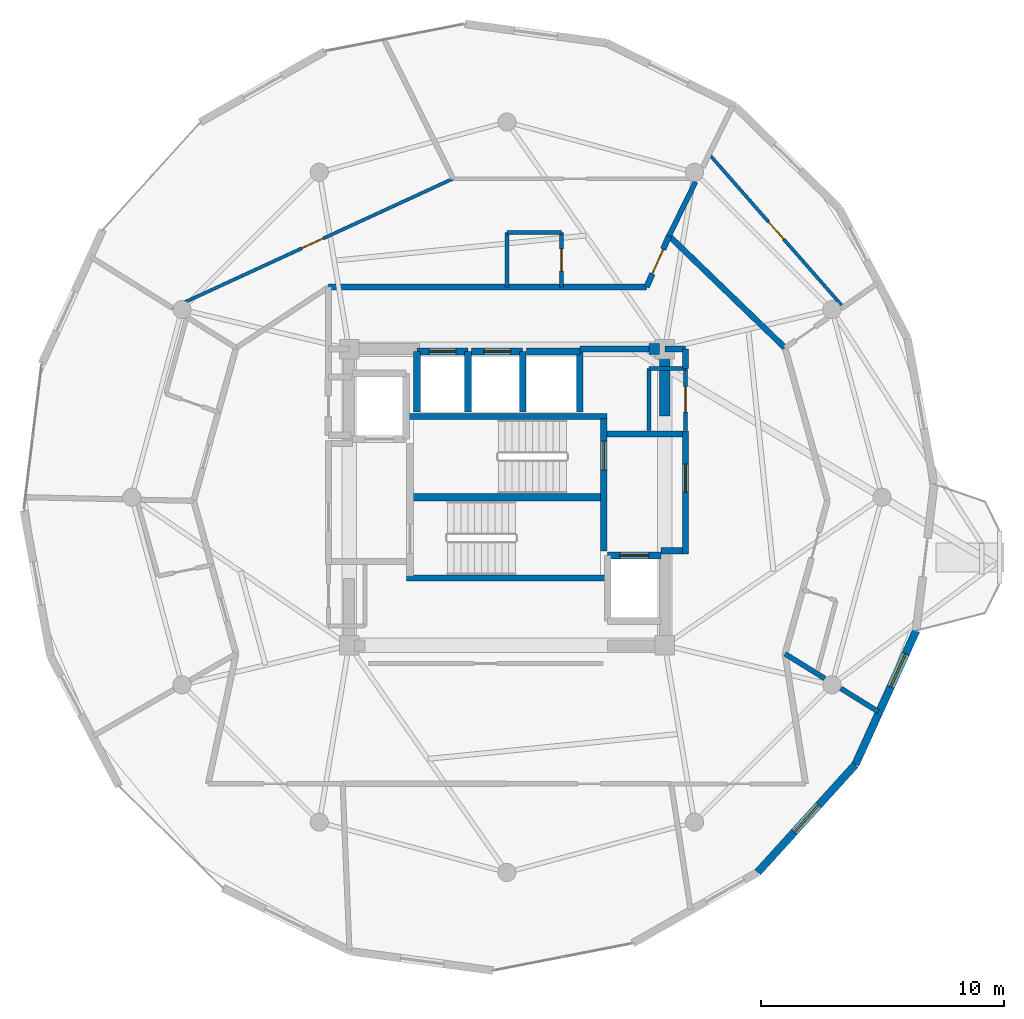
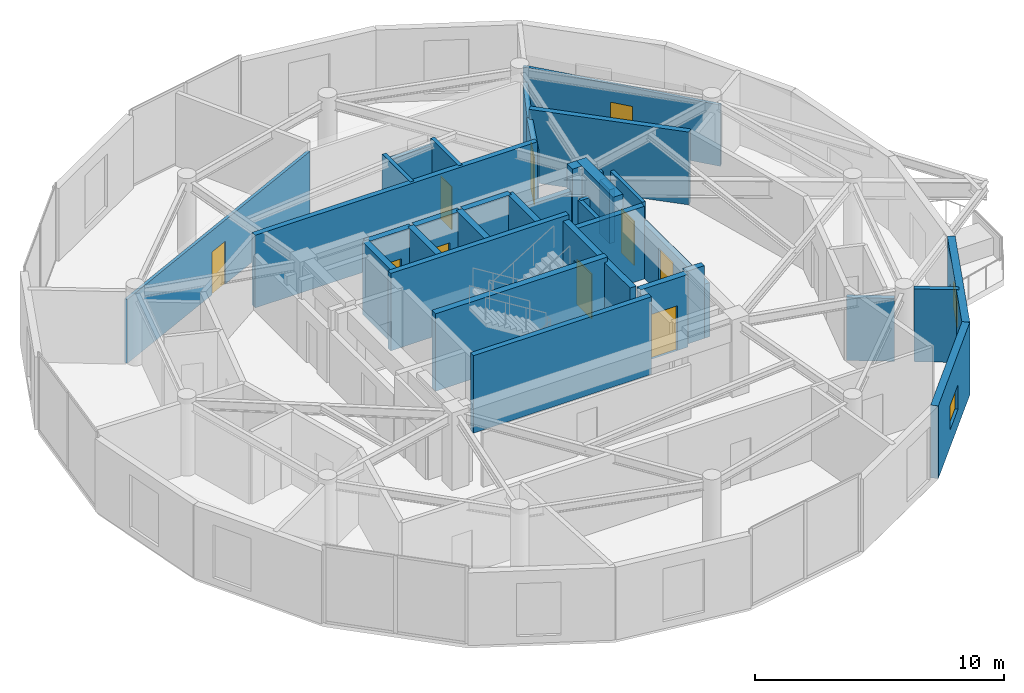
# One storey, part 15 of 18: 36 walls, 10 doors, 2 windows, 12 openings.
"""IFC4 building model written with IfcOpenShell, lengths in metres."""

from ifc_helpers import new_model, si_unit, direction, frame, frame_2d, origin, place, context, subcontext, project, spatial, rectangle, extrude, material, layer, layer_set, type_object, element, fill, save


model = new_model("IFC4")

# Units and contexts
model_context = context("Model", 3, precision=1e-05, world=origin(), true_north=direction((0.0, 1.0)))
body_context = subcontext(model_context, "Body", "Model", "MODEL_VIEW")
ifc_project = project(units=[si_unit("LENGTHUNIT", "METRE"), si_unit("AREAUNIT", "SQUARE_METRE"), si_unit("VOLUMEUNIT", "CUBIC_METRE"), si_unit("PLANEANGLEUNIT", "RADIAN"), si_unit("MASSUNIT", "GRAM", prefix="KILO")], contexts=[model_context])

# Site, building, storey
site_placement = place(None, origin())
site = spatial("IfcSite", under=ifc_project, at=site_placement, CompositionType="ELEMENT")
building_placement = place(site_placement, origin())
building = spatial("IfcBuilding", under=site, at=building_placement, Name="Solvirekh Grand Hotel", CompositionType="ELEMENT")
storey_placement = place(building_placement, frame((0.0, 0.0, 274.39990234375)))
storey = spatial("IfcBuildingStorey", under=building, at=storey_placement, Name="L71", CompositionType="ELEMENT", Elevation=274.39990234375)

# Walls
ifc_material_1 = material(Name="Concrete C50/60", Category="concrete")
ifc_layer_1 = layer(ifc_material_1, 0.35009765625)
ifc_layer_set_1 = layer_set([ifc_layer_1], Name="Concrete C50/60")
wall_type_1 = type_object("IfcWallType", Name="CoreDivWall_RC350", PredefinedType="SOLIDWALL", material=ifc_layer_set_1)
for number, where, z_axis, x_axis, name in (
    (1, (-4.1298828125, -3.324951171875, 0.0), (0.0, 0.0, 1.0), (1.0, 0.0, 0.0), "L71 core stair box wall ST-S"),
    (2, (-4.1298828125, 3.324951171875, 0.0), (0.0, 0.0, 1.0), (1.0, 0.0, 0.0), "L71 core stair box wall ST-N"),
):
    element("IfcWall", number, at=place(storey_placement, frame(where, z_axis=z_axis, x_axis=x_axis)), inside=storey, type_object=wall_type_1, Name=name, PredefinedType="SOLIDWALL", context=body_context, shape_type="SweptSolid", body=[
        extrude(rectangle(XDim=8.259765625, YDim=0.25, at=frame_2d((4.1298828125, 0.0))), origin(), (0.0, 0.0, 1.0), 3.800048828125),
    ])

# Wall, opening, door
ifc_material_2 = material(Name="Concrete C40/50", Category="concrete")
ifc_layer_2 = layer(ifc_material_2, 0.280029296875)
ifc_layer_set_2 = layer_set([ifc_layer_2], Name="Concrete C40/50")
wall_type_2 = type_object("IfcWallType", Name="CoreShaftWall_RC280", PredefinedType="SOLIDWALL", material=ifc_layer_set_2)
wall_1_placement = place(storey_placement, frame((-1.60009765625, 6.0, 0.0), z_axis=(0.0, 0.0, 1.0), x_axis=(-1.0, 0.0, 0.0)))
wall_1 = element("IfcWall", 3, at=wall_1_placement, inside=storey, type_object=wall_type_2, Name="L71 HP-1 hoistway N wall", PredefinedType="SOLIDWALL", context=body_context, shape_type="SweptSolid", body=[
    extrude(rectangle(XDim=2.099853515625, YDim=0.280029296875, at=frame_2d((1.0498046875, 0.0))), origin(), (0.0, 0.0, 1.0), 3.570068359375),
])
opening_1_placement = place(wall_1_placement, frame((0.5, 0.0, 0.0)))
opening_1 = element("IfcOpeningElement", 4, at=opening_1_placement, cuts=wall_1, Name="Opening LD01", PredefinedType="OPENING", context=body_context, shape_type="SweptSolid", body=[
    extrude(rectangle(XDim=1.10009765625, YDim=2.199951171875, at=frame_2d((0.550048828125, 1.10009765625))), frame((0.0, 0.14990234375, 0.0), z_axis=(0.0, -1.0, 0.0), x_axis=(1.0, 0.0, 0.0)), (0.0, 0.0, 1.0), 0.300048828125),
])
ifc_material_3 = material(Name="Fire-Rated Steel Door Assembly", Category="steel")
door_type_1 = type_object("IfcDoorType", Name="Door_LiftLanding_1100X2200", OperationType="SLIDING_TO_LEFT", PredefinedType="DOOR", material=ifc_material_3)
door_1_placement = place(opening_1_placement, origin())
door_1 = element("IfcDoor", 5, at=door_1_placement, inside=storey, type_object=door_type_1, Name="L71 HP-1 sliding lift landing door", OperationType="SLIDING_TO_LEFT", OverallHeight=2.199951171875, OverallWidth=1.10009765625, PredefinedType="DOOR", context=body_context, shape_type="SweptSolid", body=[
    extrude(rectangle(XDim=1.10009765625, YDim=2.199951171875, at=frame_2d((0.550048828125, 1.10009765625))), frame((0.0, 0.02490234375, 0.0), z_axis=(0.0, -1.0, 0.0), x_axis=(1.0, 0.0, 0.0)), (0.0, 0.0, 1.0), 0.050048828125),
])
fill(opening_1, door_1)

# Walls
for number, where, z_axis, x_axis, name in (
    (6, (-3.699951171875, 6.0, 0.0), (0.0, 0.0, 1.0), (0.0, -1.0, 0.0), "L71 HP-1 hoistway W wall"),
    (7, (-1.60009765625, 3.5, 0.0), (0.0, 0.0, 1.0), (0.0, 1.0, 0.0), "L71 HP-1 hoistway E wall"),
):
    element("IfcWall", number, at=place(storey_placement, frame(where, z_axis=z_axis, x_axis=x_axis)), inside=storey, type_object=wall_type_2, Name=name, PredefinedType="SOLIDWALL", context=body_context, shape_type="SweptSolid", body=[
        extrude(rectangle(XDim=2.5, YDim=0.280029296875, at=frame_2d((1.25, 0.0))), origin(), (0.0, 0.0, 1.0), 3.570068359375),
    ])

# Wall, opening, door
wall_2_placement = place(storey_placement, frame((0.64990234375, 6.0, 0.0), z_axis=(0.0, 0.0, 1.0), x_axis=(-1.0, 0.0, 0.0)))
wall_2 = element("IfcWall", 8, at=wall_2_placement, inside=storey, type_object=wall_type_2, Name="L71 HP-2 hoistway N wall", PredefinedType="SOLIDWALL", context=body_context, shape_type="SweptSolid", body=[
    extrude(rectangle(XDim=2.099853515625, YDim=0.280029296875, at=frame_2d((1.0498046875, 0.0))), origin(), (0.0, 0.0, 1.0), 3.570068359375),
])
opening_2_placement = place(wall_2_placement, frame((0.5, 0.0, 0.0)))
opening_2 = element("IfcOpeningElement", 9, at=opening_2_placement, cuts=wall_2, Name="Opening LD01", PredefinedType="OPENING", context=body_context, shape_type="SweptSolid", body=[
    extrude(rectangle(XDim=1.10009765625, YDim=2.199951171875, at=frame_2d((0.550048828125, 1.10009765625))), frame((0.0, 0.14990234375, 0.0), z_axis=(0.0, -1.0, 0.0), x_axis=(1.0, 0.0, 0.0)), (0.0, 0.0, 1.0), 0.300048828125),
])
door_2_placement = place(opening_2_placement, origin())
door_2 = element("IfcDoor", 10, at=door_2_placement, inside=storey, type_object=door_type_1, Name="L71 HP-2 sliding lift landing door", OperationType="SLIDING_TO_LEFT", OverallHeight=2.199951171875, OverallWidth=1.10009765625, PredefinedType="DOOR", context=body_context, shape_type="SweptSolid", body=[
    extrude(rectangle(XDim=1.10009765625, YDim=2.199951171875, at=frame_2d((0.550048828125, 1.10009765625))), frame((0.0, 0.02490234375, 0.0), z_axis=(0.0, -1.0, 0.0), x_axis=(1.0, 0.0, 0.0)), (0.0, 0.0, 1.0), 0.050048828125),
])
fill(opening_2, door_2)

# Walls
wall_3_placement = place(storey_placement, frame((0.64990234375, 3.5, 0.0), z_axis=(0.0, 0.0, 1.0), x_axis=(0.0, 1.0, 0.0)))
element("IfcWall", 11, at=wall_3_placement, inside=storey, type_object=wall_type_2, Name="L71 HP-2 hoistway E wall", PredefinedType="SOLIDWALL", context=body_context, shape_type="SweptSolid", body=[
    extrude(rectangle(XDim=2.5, YDim=0.280029296875, at=frame_2d((1.25, 0.0))), origin(), (0.0, 0.0, 1.0), 3.570068359375),
])
wall_4_placement = place(storey_placement, frame((3.0, 6.0, 0.0), z_axis=(0.0, 0.0, 1.0), x_axis=(-1.0, 0.0, 0.0)))
element("IfcWall", 12, at=wall_4_placement, inside=storey, type_object=wall_type_2, Name="L71 EX-1 hoistway N wall", PredefinedType="SOLIDWALL", context=body_context, shape_type="SweptSolid", body=[
    extrude(rectangle(XDim=2.199951171875, YDim=0.280029296875, at=frame_2d((1.10009765625, 0.0))), origin(), (0.0, 0.0, 1.0), 3.570068359375),
])
wall_5_placement = place(storey_placement, frame((3.0, 3.5, 0.0), z_axis=(0.0, 0.0, 1.0), x_axis=(0.0, 1.0, 0.0)))
element("IfcWall", 13, at=wall_5_placement, inside=storey, type_object=wall_type_2, Name="L71 EX-1 hoistway E wall", PredefinedType="SOLIDWALL", context=body_context, shape_type="SweptSolid", body=[
    extrude(rectangle(XDim=2.5, YDim=0.280029296875, at=frame_2d((1.25, 0.0))), origin(), (0.0, 0.0, 1.0), 3.570068359375),
])

# Wall, opening, door
wall_6_placement = place(storey_placement, frame((6.35009765625, -2.39990234375, 0.0), z_axis=(0.0, 0.0, 1.0), x_axis=(-1.0, 0.0, 0.0)))
wall_6 = element("IfcWall", 14, at=wall_6_placement, inside=storey, type_object=wall_type_2, Name="L71 FL-2 hoistway N wall", PredefinedType="SOLIDWALL", context=body_context, shape_type="SweptSolid", body=[
    extrude(rectangle(XDim=2.2001953125, YDim=0.280029296875, at=frame_2d((1.10009765625, 0.0))), origin(), (0.0, 0.0, 1.0), 3.570068359375),
])
opening_3_placement = place(wall_6_placement, frame((0.5, 0.0, 0.0)))
opening_3 = element("IfcOpeningElement", 15, at=opening_3_placement, cuts=wall_6, Name="Opening LD02", PredefinedType="OPENING", context=body_context, shape_type="SweptSolid", body=[
    extrude(rectangle(XDim=1.199951171875, YDim=2.199951171875, at=frame_2d((0.60009765625, 1.10009765625))), frame((0.0, 0.14990234375, 0.0), z_axis=(0.0, -1.0, 0.0), x_axis=(1.0, 0.0, 0.0)), (0.0, 0.0, 1.0), 0.300048828125),
])
door_type_2 = type_object("IfcDoorType", Name="Door_LiftFF_1200X2200", OperationType="SLIDING_TO_LEFT", PredefinedType="DOOR", material=ifc_material_3)
door_3_placement = place(opening_3_placement, origin())
door_3 = element("IfcDoor", 16, at=door_3_placement, inside=storey, type_object=door_type_2, Name="L71 FL-2 sliding lift landing door", OperationType="SLIDING_TO_LEFT", OverallHeight=2.199951171875, OverallWidth=1.199951171875, PredefinedType="DOOR", context=body_context, shape_type="SweptSolid", body=[
    extrude(rectangle(XDim=1.199951171875, YDim=2.199951171875, at=frame_2d((0.60009765625, 1.10009765625))), frame((0.0, 0.02490234375, 0.0), z_axis=(0.0, -1.0, 0.0), x_axis=(1.0, 0.0, 0.0)), (0.0, 0.0, 1.0), 0.050048828125),
])
fill(opening_3, door_3)

wall_7_placement = place(storey_placement, frame((3.989990234375, -2.2099609375, 0.0), z_axis=(0.0, 0.0, 1.0), x_axis=(0.0, 1.0, 0.0)))
wall_7 = element("IfcWall", 17, at=wall_7_placement, inside=storey, type_object=wall_type_2, Name="L71 east stair landing enclosure wall", PredefinedType="SOLIDWALL", context=body_context, shape_type="SweptSolid", body=[
    extrude(rectangle(XDim=5.4599609375, YDim=0.280029296875, at=frame_2d((2.72998046875, 0.0))), origin(), (0.0, 0.0, 1.0), 3.570068359375),
])
opening_4_placement = place(wall_7_placement, frame((3.322998046875, 0.0, 0.0)))
opening_4 = element("IfcOpeningElement", 18, at=opening_4_placement, cuts=wall_7, Name="Opening D05", PredefinedType="OPENING", context=body_context, shape_type="SweptSolid", body=[
    extrude(rectangle(XDim=1.199951171875, YDim=2.199951171875, at=frame_2d((0.60009765625, 1.10009765625))), frame((0.0, 0.14990234375, 0.0), z_axis=(0.0, -1.0, 0.0), x_axis=(1.0, 0.0, 0.0)), (0.0, 0.0, 1.0), 0.300048828125),
])
door_type_3 = type_object("IfcDoorType", Name="Door_StairCore_1200X2200", OperationType="NOTDEFINED", PredefinedType="DOOR", material=ifc_material_3)
door_4_placement = place(opening_4_placement, origin())
door_4 = element("IfcDoor", 19, at=door_4_placement, inside=storey, type_object=door_type_3, Name="L71 exit stair ST-2 fire door", OperationType="SINGLE_SWING_LEFT", OverallHeight=2.199951171875, OverallWidth=1.199951171875, PredefinedType="DOOR", context=body_context, shape_type="SweptSolid", body=[
    extrude(rectangle(XDim=1.199951171875, YDim=2.199951171875, at=frame_2d((0.60009765625, 1.10009765625))), frame((0.0, 0.02490234375, 0.0), z_axis=(0.0, -1.0, 0.0), x_axis=(1.0, 0.0, 0.0)), (0.0, 0.0, 1.0), 0.050048828125),
])
fill(opening_4, door_4)

# Walls
ifc_layer_3 = layer(ifc_material_1, 0.449951171875)
ifc_layer_set_3 = layer_set([ifc_layer_3], Name="Concrete C50/60")
wall_type_3 = type_object("IfcWallType", Name="CoreWall_RC450", PredefinedType="SHEAR", material=ifc_layer_set_3)
wall_8_placement = place(storey_placement, frame((-3.989990234375, 0.0, 0.0), z_axis=(0.0, 0.0, 1.0), x_axis=(1.0, 0.0, 0.0)))
element("IfcWall", 20, at=wall_8_placement, inside=storey, type_object=wall_type_3, Name="L71 central stair-spine shear wall", PredefinedType="SHEAR", context=body_context, shape_type="SweptSolid", body=[
    extrude(rectangle(XDim=7.97998046875, YDim=0.300048828125, at=frame_2d((3.989990234375, 0.0))), origin(), (0.0, 0.0, 1.0), 3.800048828125),
])
wall_9_placement = place(storey_placement, frame((5.85009765625, 6.10009765625, 0.0), z_axis=(0.0, 0.0, 1.0), x_axis=(1.0, 0.0, 0.0)))
element("IfcWall", 21, at=wall_9_placement, inside=storey, type_object=wall_type_3, Name="L71 core corner shear wall NE-N", PredefinedType="SHEAR", context=body_context, shape_type="SweptSolid", body=[
    extrude(rectangle(XDim=0.4248046875, YDim=0.449951171875, at=frame_2d((0.21240234375, 0.0))), origin(), (0.0, 0.0, 1.0), 3.800048828125),
])
wall_10_placement = place(storey_placement, frame((6.5, 3.35009765625, 0.0), z_axis=(0.0, 0.0, 1.0), x_axis=(0.0, 1.0, 0.0)))
element("IfcWall", 22, at=wall_10_placement, inside=storey, type_object=wall_type_3, Name="L71 core corner shear wall EN-E", PredefinedType="SHEAR", context=body_context, shape_type="SweptSolid", body=[
    extrude(rectangle(XDim=2.974853515625, YDim=0.449951171875, at=frame_2d((1.4873046875, 0.0))), origin(), (0.0, 0.0, 1.0), 3.800048828125),
])

# Wall, opening, window
ifc_material_4 = material(Name="Precast concrete C45/55", Category="concrete")
ifc_layer_4 = layer(ifc_material_4, 0.320068359375)
ifc_layer_set_4 = layer_set([ifc_layer_4], Name="Precast concrete C45/55")
wall_type_4 = type_object("IfcWallType", Name="ExtLobbyWall_RC320", PredefinedType="SOLIDWALL", material=ifc_layer_set_4)
wall_11_placement = place(storey_placement, frame((14.34912109375, -11.011962890625, 0.0), z_axis=(0.0, 0.0, 1.0), x_axis=(-0.67166919047, -0.740851198671, 0.0)))
wall_11 = element("IfcWall", 23, at=wall_11_placement, inside=storey, type_object=wall_type_4, Name="L71 cantilevered deck support wall chord 3", PredefinedType="SOLIDWALL", context=body_context, shape_type="SweptSolid", body=[
    extrude(rectangle(XDim=5.985107421875, YDim=0.320068359375, at=frame_2d((2.99267578125, 0.0))), origin(), (0.0, 0.0, 1.0), 3.570068359375),
])
opening_5_placement = place(wall_11_placement, frame((2.242919921875, 0.0, 0.85009765625)))
opening_5 = element("IfcOpeningElement", 24, at=opening_5_placement, cuts=wall_11, Name="Opening W05", PredefinedType="OPENING", context=body_context, shape_type="SweptSolid", body=[
    extrude(rectangle(XDim=1.5, YDim=1.199951171875, at=frame_2d((0.75, 0.60009765625))), frame((0.0, 0.169921875, 0.0), z_axis=(0.0, -1.0, 0.0), x_axis=(1.0, 0.0, 0.0)), (0.0, 0.0, 1.0), 0.340087890625),
])
ifc_material_5 = material(Name="Low-E Tinted Bronze Laminated Glass", Category="aluminium")
window_type = type_object("IfcWindowType", Name="Win_PlantVent_1500X1200", PartitioningType="SINGLE_PANEL", PredefinedType="WINDOW", material=ifc_material_5)
window_1_placement = place(opening_5_placement, origin())
window_1 = element("IfcWindow", 25, at=window_1_placement, inside=storey, type_object=window_type, Name="L71 bronze-framed vision ribbon window 3", OverallHeight=1.199951171875, OverallWidth=1.5, PartitioningType="SINGLE_PANEL", PredefinedType="WINDOW", context=body_context, shape_type="SweptSolid", body=[
    extrude(rectangle(XDim=1.5, YDim=1.199951171875, at=frame_2d((0.75, 0.60009765625))), frame((0.0, 0.030029296875, 0.0), z_axis=(0.0, -1.0, 0.0), x_axis=(1.0, 0.0, 0.0)), (0.0, 0.0, 1.0), 0.06005859375),
])
fill(opening_5, window_1)

wall_12_placement = place(storey_placement, frame((16.85107421875, -5.5, 0.0), z_axis=(0.0, 0.0, 1.0), x_axis=(-0.413325805639, -0.910583207836, 0.0)))
wall_12 = element("IfcWall", 26, at=wall_12_placement, inside=storey, type_object=wall_type_4, Name="L71 cantilevered deck support wall chord 4", PredefinedType="SOLIDWALL", context=body_context, shape_type="SweptSolid", body=[
    extrude(rectangle(XDim=6.05322265625, YDim=0.320068359375, at=frame_2d((3.026611328125, 0.0))), origin(), (0.0, 0.0, 1.0), 3.570068359375),
])
opening_6_placement = place(wall_12_placement, frame((1.0380859375, 0.0, 0.85009765625)))
opening_6 = element("IfcOpeningElement", 27, at=opening_6_placement, cuts=wall_12, Name="Opening W05", PredefinedType="OPENING", context=body_context, shape_type="SweptSolid", body=[
    extrude(rectangle(XDim=1.5, YDim=1.199951171875, at=frame_2d((0.75, 0.60009765625))), frame((0.0, 0.169921875, 0.0), z_axis=(0.0, -1.0, 0.0), x_axis=(1.0, 0.0, 0.0)), (0.0, 0.0, 1.0), 0.340087890625),
])
window_2_placement = place(opening_6_placement, origin())
window_2 = element("IfcWindow", 28, at=window_2_placement, inside=storey, type_object=window_type, Name="L71 bronze-framed vision ribbon window 4", OverallHeight=1.199951171875, OverallWidth=1.5, PartitioningType="SINGLE_PANEL", PredefinedType="WINDOW", context=body_context, shape_type="SweptSolid", body=[
    extrude(rectangle(XDim=1.5, YDim=1.199951171875, at=frame_2d((0.75, 0.60009765625))), frame((0.0, 0.030029296875, 0.0), z_axis=(0.0, -1.0, 0.0), x_axis=(1.0, 0.0, 0.0)), (0.0, 0.0, 1.0), 0.06005859375),
])
fill(opening_6, window_2)

# Wall, opening, door
ifc_material_6 = material(Name="Acoustic Gypsum Partition Assembly")
ifc_layer_5 = layer(ifc_material_6, 0.1650390625)
ifc_layer_set_5 = layer_set([ifc_layer_5], Name="Acoustic Gypsum Partition Assembly")
wall_type_5 = type_object("IfcWallType", Name="Part_BOH_165", PredefinedType="PARTITIONING", material=ifc_layer_set_5)
wall_13_placement = place(storey_placement, frame((7.35009765625, 2.75, 0.0), z_axis=(0.0, 0.0, 1.0), x_axis=(0.0, 1.0, 0.0)))
wall_13 = element("IfcWall", 29, at=wall_13_placement, inside=storey, type_object=wall_type_5, Name="L71 L71 Telecom Distribution Room wall 2", PredefinedType="PARTITIONING", context=body_context, shape_type="SweptSolid", body=[
    extrude(rectangle(XDim=2.550048828125, YDim=0.1650390625, at=frame_2d((1.27490234375, 0.0))), origin(), (0.0, 0.0, 1.0), 3.570068359375),
])
opening_7_placement = place(wall_13_placement, frame((0.75, 0.0, 0.0)))
opening_7 = element("IfcOpeningElement", 30, at=opening_7_placement, cuts=wall_13, Name="Opening D12", PredefinedType="OPENING", context=body_context, shape_type="SweptSolid", body=[
    extrude(rectangle(XDim=1.050048828125, YDim=2.14990234375, at=frame_2d((0.52490234375, 1.074951171875))), frame((0.0, 0.092529296875, 0.0), z_axis=(0.0, -1.0, 0.0), x_axis=(1.0, 0.0, 0.0)), (0.0, 0.0, 1.0), 0.18505859375),
])
door_type_4 = type_object("IfcDoorType", Name="Door_PlantBOH_1050X2150", OperationType="NOTDEFINED", PredefinedType="DOOR", material=ifc_material_3)
door_5_placement = place(opening_7_placement, origin())
door_5 = element("IfcDoor", 31, at=door_5_placement, inside=storey, type_object=door_type_4, Name="L71 L71 Telecom Distribution Room door", OperationType="SINGLE_SWING_RIGHT", OverallHeight=2.14990234375, OverallWidth=1.050048828125, PredefinedType="DOOR", context=body_context, shape_type="SweptSolid", body=[
    extrude(rectangle(XDim=1.050048828125, YDim=2.14990234375, at=frame_2d((0.52490234375, 1.074951171875))), frame((0.0, 0.02490234375, 0.0), z_axis=(0.0, -1.0, 0.0), x_axis=(1.0, 0.0, 0.0)), (0.0, 0.0, 1.0), 0.050048828125),
])
fill(opening_7, door_5)

# Walls
wall_14_placement = place(storey_placement, frame((7.35009765625, 5.300048828125, 0.0), z_axis=(0.0, 0.0, 1.0), x_axis=(-1.0, 0.0, 0.0)))
element("IfcWall", 32, at=wall_14_placement, inside=storey, type_object=wall_type_5, Name="L71 L71 Telecom Distribution Room wall 3", PredefinedType="PARTITIONING", context=body_context, shape_type="SweptSolid", body=[
    extrude(rectangle(XDim=1.5, YDim=0.1650390625, at=frame_2d((0.75, 0.0))), origin(), (0.0, 0.0, 1.0), 2.655029296875),
])
wall_15_placement = place(storey_placement, frame((5.85009765625, 5.300048828125, 0.0), z_axis=(0.0, 0.0, 1.0), x_axis=(0.0, -1.0, 0.0)))
element("IfcWall", 33, at=wall_15_placement, inside=storey, type_object=wall_type_5, Name="L71 L71 Telecom Distribution Room wall 4", PredefinedType="PARTITIONING", context=body_context, shape_type="SweptSolid", body=[
    extrude(rectangle(XDim=2.550048828125, YDim=0.1650390625, at=frame_2d((1.27490234375, 0.0))), origin(), (0.0, 0.0, 1.0), 2.655029296875),
])

# Wall, opening, door
ifc_layer_6 = layer(ifc_material_6, 0.239990234375)
ifc_layer_set_6 = layer_set([ifc_layer_6], Name="Acoustic Gypsum Partition Assembly")
wall_type_6 = type_object("IfcWallType", Name="Part_Corridor_240", PredefinedType="PARTITIONING", material=ifc_layer_set_6)
wall_16_placement = place(storey_placement, frame((7.35009765625, -2.340087890625, 0.0), z_axis=(0.0, 0.0, 1.0), x_axis=(0.0, 1.0, 0.0)))
wall_16 = element("IfcWall", 34, at=wall_16_placement, inside=storey, type_object=wall_type_6, Name="L71 east firefighting lobby smoke screen wall", PredefinedType="PARTITIONING", context=body_context, shape_type="SweptSolid", body=[
    extrude(rectangle(XDim=5.070068359375, YDim=0.239990234375, at=frame_2d((2.53515625, 0.0))), origin(), (0.0, 0.0, 1.0), 2.655029296875),
])
opening_8_placement = place(wall_16_placement, frame((2.548095703125, 0.0, 0.0)))
opening_8 = element("IfcOpeningElement", 35, at=opening_8_placement, cuts=wall_16, Name="Opening D06", PredefinedType="OPENING", context=body_context, shape_type="SweptSolid", body=[
    extrude(rectangle(XDim=1.14990234375, YDim=2.199951171875, at=frame_2d((0.574951171875, 1.10009765625))), frame((0.0, 0.1298828125, 0.0), z_axis=(0.0, -1.0, 0.0), x_axis=(1.0, 0.0, 0.0)), (0.0, 0.0, 1.0), 0.260009765625),
])
door_type_5 = type_object("IfcDoorType", Name="Door_FFLobby_1150X2200", OperationType="NOTDEFINED", PredefinedType="DOOR", material=ifc_material_3)
door_6_placement = place(opening_8_placement, origin())
door_6 = element("IfcDoor", 36, at=door_6_placement, inside=storey, type_object=door_type_5, Name="L71 east firefighting lobby smoke door", OperationType="SINGLE_SWING_LEFT", OverallHeight=2.199951171875, OverallWidth=1.14990234375, PredefinedType="DOOR", context=body_context, shape_type="SweptSolid", body=[
    extrude(rectangle(XDim=1.14990234375, YDim=2.199951171875, at=frame_2d((0.574951171875, 1.10009765625))), frame((0.0, 0.02490234375, 0.0), z_axis=(0.0, -1.0, 0.0), x_axis=(1.0, 0.0, 0.0)), (0.0, 0.0, 1.0), 0.050048828125),
])
fill(opening_8, door_6)

# Walls
wall_17_placement = place(storey_placement, frame((-7.35009765625, 8.64990234375, 0.0), z_axis=(0.0, 0.0, 1.0), x_axis=(1.0, 0.0, 0.0)))
element("IfcWall", 37, at=wall_17_placement, inside=storey, type_object=wall_type_6, Name="L71 north lift lobby enclosure wall", PredefinedType="PARTITIONING", context=body_context, shape_type="SweptSolid", body=[
    extrude(rectangle(XDim=13.10009765625, YDim=0.239990234375, at=frame_2d((6.550048828125, 0.0))), origin(), (0.0, 0.0, 1.0), 3.570068359375),
])
wall_18_placement = place(storey_placement, frame((3.0, 6.10009765625, 0.0), z_axis=(0.0, 0.0, 1.0), x_axis=(1.0, 0.0, 0.0)))
element("IfcWall", 38, at=wall_18_placement, inside=storey, type_object=wall_type_6, Name="L71 north core shaft infill wall", PredefinedType="PARTITIONING", context=body_context, shape_type="SweptSolid", body=[
    extrude(rectangle(XDim=2.85009765625, YDim=0.239990234375, at=frame_2d((1.425048828125, 0.0))), origin(), (0.0, 0.0, 1.0), 2.655029296875),
])
wall_19_placement = place(storey_placement, frame((7.35009765625, 5.300048828125, 0.0), z_axis=(0.0, 0.0, 1.0), x_axis=(0.0, 1.0, 0.0)))
element("IfcWall", 39, at=wall_19_placement, inside=storey, type_object=wall_type_6, Name="L71 NE core cheek closure wall", PredefinedType="PARTITIONING", context=body_context, shape_type="SweptSolid", body=[
    extrude(rectangle(XDim=0.800048828125, YDim=0.239990234375, at=frame_2d((0.39990234375, 0.0))), origin(), (0.0, 0.0, 1.0), 2.655029296875),
])
wall_20_placement = place(storey_placement, frame((6.5, 6.10009765625, 0.0), z_axis=(0.0, 0.0, 1.0), x_axis=(1.0, 0.0, 0.0)))
element("IfcWall", 40, at=wall_20_placement, inside=storey, type_object=wall_type_6, Name="L71 NE core corner tie wall", PredefinedType="PARTITIONING", context=body_context, shape_type="SweptSolid", body=[
    extrude(rectangle(XDim=0.85009765625, YDim=0.239990234375, at=frame_2d((0.425048828125, 0.0))), origin(), (0.0, 0.0, 1.0), 3.086181640625),
])

# Wall, opening, door
wall_21_placement = place(storey_placement, frame((5.75, 8.64990234375, 0.0), z_axis=(0.0, 0.0, 1.0), x_axis=(0.401190953907, 0.915994442398, 0.0)))
wall_21 = element("IfcWall", 41, at=wall_21_placement, inside=storey, type_object=wall_type_6, Name="L71 Panorama Suite 7301 Inner Suite Lounge entrance wall", PredefinedType="PARTITIONING", context=body_context, shape_type="SweptSolid", body=[
    extrude(rectangle(XDim=2.3056640625, YDim=0.239990234375, at=frame_2d((1.15283203125, 0.0))), origin(), (0.0, 0.0, 1.0), 3.086181640625),
])
opening_9_placement = place(wall_21_placement, frame((0.60302734375, 0.0, 0.0)))
opening_9 = element("IfcOpeningElement", 42, at=opening_9_placement, cuts=wall_21, Name="Opening D08", PredefinedType="OPENING", context=body_context, shape_type="SweptSolid", body=[
    extrude(rectangle(XDim=1.10009765625, YDim=2.300048828125, at=frame_2d((0.550048828125, 1.14990234375))), frame((0.0, 0.1298828125, 0.0), z_axis=(0.0, -1.0, 0.0), x_axis=(1.0, 0.0, 0.0)), (0.0, 0.0, 1.0), 0.260009765625),
])
door_type_6 = type_object("IfcDoorType", Name="Door_SuiteEntry_1100X2300", OperationType="NOTDEFINED", PredefinedType="DOOR", material=ifc_material_3)
door_7_placement = place(opening_9_placement, origin())
door_7 = element("IfcDoor", 43, at=door_7_placement, inside=storey, type_object=door_type_6, Name="L71 Panorama Suite 7301 Inner Suite Lounge entrance door", OperationType="SINGLE_SWING_LEFT", OverallHeight=2.300048828125, OverallWidth=1.10009765625, PredefinedType="DOOR", context=body_context, shape_type="SweptSolid", body=[
    extrude(rectangle(XDim=1.10009765625, YDim=2.300048828125, at=frame_2d((0.550048828125, 1.14990234375))), frame((0.0, 0.02490234375, 0.0), z_axis=(0.0, -1.0, 0.0), x_axis=(1.0, 0.0, 0.0)), (0.0, 0.0, 1.0), 0.050048828125),
])
fill(opening_9, door_7)

# Walls
wall_22_placement = place(storey_placement, frame((11.451904296875, 6.14990234375, 0.0), z_axis=(0.0, 0.0, 1.0), x_axis=(-0.719407162497, 0.694588608133, 0.0)))
element("IfcWall", 44, at=wall_22_placement, inside=storey, type_object=wall_type_6, Name="L71 Diplomatic Suite 7304 Suite Foyer corridor enclosure wall", PredefinedType="PARTITIONING", context=body_context, shape_type="SweptSolid", body=[
    extrude(rectangle(XDim=6.639892578125, YDim=0.239990234375, at=frame_2d((3.31982421875, 0.0))), origin(), (0.0, 0.0, 1.0), 3.570068359375),
])
ifc_layer_7 = layer(ifc_material_6, 0.260009765625)
ifc_layer_set_7 = layer_set([ifc_layer_7], Name="Acoustic Gypsum Partition Assembly")
wall_type_7 = type_object("IfcWallType", Name="Part_LobbyFF_260", PredefinedType="PARTITIONING", material=ifc_layer_set_7)
wall_23_placement = place(storey_placement, frame((6.35009765625, -2.2099609375, 0.0), z_axis=(0.0, 0.0, 1.0), x_axis=(1.0, 0.0, 0.0)))
element("IfcWall", 45, at=wall_23_placement, inside=storey, type_object=wall_type_7, Name="L71 east firefighting lobby SE cheek", PredefinedType="PARTITIONING", context=body_context, shape_type="SweptSolid", body=[
    extrude(rectangle(XDim=0.875, YDim=0.260009765625, at=frame_2d((0.4375, 0.0))), origin(), (0.0, 0.0, 1.0), 3.570068359375),
])
wall_24_placement = place(storey_placement, frame((4.1298828125, 2.60009765625, 0.0), z_axis=(0.0, 0.0, 1.0), x_axis=(1.0, 0.0, 0.0)))
element("IfcWall", 46, at=wall_24_placement, inside=storey, type_object=wall_type_7, Name="L71 east firefighting lobby north partition", PredefinedType="PARTITIONING", context=body_context, shape_type="SweptSolid", body=[
    extrude(rectangle(XDim=3.09521484375, YDim=0.260009765625, at=frame_2d((1.547607421875, 0.0))), origin(), (0.0, 0.0, 1.0), 3.570068359375),
])

# Wall, opening, door
ifc_layer_8 = layer(ifc_material_6, 0.135009765625)
ifc_layer_set_8 = layer_set([ifc_layer_8], Name="Acoustic Gypsum Partition Assembly")
wall_type_8 = type_object("IfcWallType", Name="Part_RoomInt_135", PredefinedType="PARTITIONING", material=ifc_layer_set_8)
wall_25_placement = place(storey_placement, frame((-13.777099609375, 7.79296875, 0.0), z_axis=(0.0, 0.0, 1.0), x_axis=(0.908271846509, 0.418380512021, 0.0)))
wall_25 = element("IfcWall", 47, at=wall_25_placement, inside=storey, type_object=wall_type_8, Name="L71 Panorama Suite 7301 Observatory Library bedroom screen wall", PredefinedType="PARTITIONING", context=body_context, shape_type="SweptSolid", body=[
    extrude(rectangle(XDim=12.7275390625, YDim=0.135009765625, at=frame_2d((6.36376953125, 0.0))), origin(), (0.0, 0.0, 1.0), 3.13818359375),
])
opening_10_placement = place(wall_25_placement, frame((5.888916015625, 0.0, 0.0)))
opening_10 = element("IfcOpeningElement", 48, at=opening_10_placement, cuts=wall_25, Name="Opening D10", PredefinedType="OPENING", context=body_context, shape_type="SweptSolid", body=[
    extrude(rectangle(XDim=0.949951171875, YDim=2.10009765625, at=frame_2d((0.47509765625, 1.050048828125))), frame((0.0, 0.07763671875, 0.0), z_axis=(0.0, -1.0, 0.0), x_axis=(1.0, 0.0, 0.0)), (0.0, 0.0, 1.0), 0.155029296875),
])
ifc_material_7 = material(Name="Anodized Bronze Aluminium 6063-T6", Category="aluminium")
door_type_7 = type_object("IfcDoorType", Name="Door_RoomInt_950X2100", OperationType="NOTDEFINED", PredefinedType="DOOR", material=ifc_material_7)
door_8_placement = place(opening_10_placement, origin())
door_8 = element("IfcDoor", 49, at=door_8_placement, inside=storey, type_object=door_type_7, Name="L71 Panorama Suite 7301 Observatory Library master bedroom door", OperationType="SINGLE_SWING_LEFT", OverallHeight=2.10009765625, OverallWidth=0.949951171875, PredefinedType="DOOR", context=body_context, shape_type="SweptSolid", body=[
    extrude(rectangle(XDim=0.949951171875, YDim=2.10009765625, at=frame_2d((0.47509765625, 1.050048828125))), frame((0.0, 0.02490234375, 0.0), z_axis=(0.0, -1.0, 0.0), x_axis=(1.0, 0.0, 0.0)), (0.0, 0.0, 1.0), 0.050048828125),
])
fill(opening_10, door_8)

wall_26_placement = place(storey_placement, frame((13.85107421875, 7.825927734375, 0.0), z_axis=(0.0, 0.0, 1.0), x_axis=(-0.659356064883, 0.751830818537, 0.0)))
wall_26 = element("IfcWall", 50, at=wall_26_placement, inside=storey, type_object=wall_type_8, Name="L71 Diplomatic Suite 7304 Suite Foyer bedroom screen wall", PredefinedType="PARTITIONING", context=body_context, shape_type="SweptSolid", body=[
    extrude(rectangle(XDim=8.379638671875, YDim=0.135009765625, at=frame_2d((4.18994140625, 0.0))), origin(), (0.0, 0.0, 1.0), 3.005126953125),
])
opening_11_placement = place(wall_26_placement, frame((3.715087890625, 0.0, 0.0)))
opening_11 = element("IfcOpeningElement", 51, at=opening_11_placement, cuts=wall_26, Name="Opening D10", PredefinedType="OPENING", context=body_context, shape_type="SweptSolid", body=[
    extrude(rectangle(XDim=0.949951171875, YDim=2.10009765625, at=frame_2d((0.47509765625, 1.050048828125))), frame((0.0, 0.07763671875, 0.0), z_axis=(0.0, -1.0, 0.0), x_axis=(1.0, 0.0, 0.0)), (0.0, 0.0, 1.0), 0.155029296875),
])
door_9_placement = place(opening_11_placement, origin())
door_9 = element("IfcDoor", 52, at=door_9_placement, inside=storey, type_object=door_type_7, Name="L71 Diplomatic Suite 7304 Suite Foyer master bedroom door", OperationType="SINGLE_SWING_LEFT", OverallHeight=2.10009765625, OverallWidth=0.949951171875, PredefinedType="DOOR", context=body_context, shape_type="SweptSolid", body=[
    extrude(rectangle(XDim=0.949951171875, YDim=2.10009765625, at=frame_2d((0.47509765625, 1.050048828125))), frame((0.0, 0.02490234375, 0.0), z_axis=(0.0, -1.0, 0.0), x_axis=(1.0, 0.0, 0.0)), (0.0, 0.0, 1.0), 0.050048828125),
])
fill(opening_11, door_9)

# Walls
ifc_layer_9 = layer(ifc_material_6, 0.2099609375)
ifc_layer_set_9 = layer_set([ifc_layer_9], Name="Acoustic Gypsum Partition Assembly")
wall_type_9 = type_object("IfcWallType", Name="Part_SuiteDemise_210", PredefinedType="PARTITIONING", material=ifc_layer_set_9)
wall_27_placement = place(storey_placement, frame((6.675048828125, 10.761962890625, 0.0), z_axis=(0.0, 0.0, 1.0), x_axis=(0.440582273055, 0.897712237117, 0.0)))
element("IfcWall", 53, at=wall_27_placement, inside=storey, type_object=wall_type_9, Name="L71 suite radial wall 3 (A)", PredefinedType="PARTITIONING", context=body_context, shape_type="SweptSolid", body=[
    extrude(rectangle(XDim=2.478515625, YDim=0.2099609375, at=frame_2d((1.2392578125, 0.0))), origin(), (0.0, 0.0, 1.0), 3.086181640625),
])
wall_28_placement = place(storey_placement, frame((11.451904296875, -6.449951171875, 0.0), z_axis=(0.0, 0.0, 1.0), x_axis=(0.850026735641, -0.526739545407, 0.0)))
element("IfcWall", 54, at=wall_28_placement, inside=storey, type_object=wall_type_9, Name="L71 suite radial wall 12 (A)", PredefinedType="PARTITIONING", context=body_context, shape_type="SweptSolid", body=[
    extrude(rectangle(XDim=1.921142578125, YDim=0.2099609375, at=frame_2d((0.96044921875, 0.0))), origin(), (0.0, 0.0, 1.0), 3.086181640625),
])
wall_29_placement = place(storey_placement, frame((13.7470703125, -7.8720703125, 0.0), z_axis=(0.0, 0.0, 1.0), x_axis=(0.850070781835, -0.526668459156, 0.0)))
element("IfcWall", 55, at=wall_29_placement, inside=storey, type_object=wall_type_9, Name="L71 suite radial wall 12 (B)", PredefinedType="PARTITIONING", context=body_context, shape_type="SweptSolid", body=[
    extrude(rectangle(XDim=1.82080078125, YDim=0.2099609375, at=frame_2d((0.910400390625, 0.0))), origin(), (0.0, 0.0, 1.0), 3.570068359375),
])
ifc_layer_10 = layer(ifc_material_6, 0.175048828125)
ifc_layer_set_10 = layer_set([ifc_layer_10], Name="Acoustic Gypsum Partition Assembly")
wall_type_10 = type_object("IfcWallType", Name="Plumb_Ensuite_175", PredefinedType="PLUMBINGWALL", material=ifc_layer_set_10)
wall_30_placement = place(storey_placement, frame((0.0, 10.89990234375, 0.0), z_axis=(0.0, 0.0, 1.0), x_axis=(1.0, 0.0, 0.0)))
element("IfcWall", 56, at=wall_30_placement, inside=storey, type_object=wall_type_10, Name="L71 En-suite Bathroom 7301 outer plumbing wall", PredefinedType="PLUMBINGWALL", context=body_context, shape_type="SweptSolid", body=[
    extrude(rectangle(XDim=2.25, YDim=0.175048828125, at=frame_2d((1.125, 0.0))), origin(), (0.0, 0.0, 1.0), 3.253173828125),
])
wall_31_placement = place(storey_placement, frame((0.0, 10.89990234375, 0.0), z_axis=(0.0, 0.0, 1.0), x_axis=(0.0, -1.0, 0.0)))
element("IfcWall", 57, at=wall_31_placement, inside=storey, type_object=wall_type_10, Name="L71 En-suite Bathroom 7301 side plumbing wall", PredefinedType="PLUMBINGWALL", context=body_context, shape_type="SweptSolid", body=[
    extrude(rectangle(XDim=2.25, YDim=0.175048828125, at=frame_2d((1.125, 0.0))), origin(), (0.0, 0.0, 1.0), 3.570068359375),
])

# Wall, opening, door
wall_32_placement = place(storey_placement, frame((2.25, 8.64990234375, 0.0), z_axis=(0.0, 0.0, 1.0), x_axis=(0.0, 1.0, 0.0)))
wall_32 = element("IfcWall", 58, at=wall_32_placement, inside=storey, type_object=wall_type_10, Name="L71 En-suite Bathroom 7301 entry plumbing wall", PredefinedType="PLUMBINGWALL", context=body_context, shape_type="SweptSolid", body=[
    extrude(rectangle(XDim=2.25, YDim=0.175048828125, at=frame_2d((1.125, 0.0))), origin(), (0.0, 0.0, 1.0), 3.570068359375),
])
opening_12_placement = place(wall_32_placement, frame((0.675048828125, 0.0, 0.0)))
opening_12 = element("IfcOpeningElement", 59, at=opening_12_placement, cuts=wall_32, Name="Opening D09", PredefinedType="OPENING", context=body_context, shape_type="SweptSolid", body=[
    extrude(rectangle(XDim=0.89990234375, YDim=2.10009765625, at=frame_2d((0.449951171875, 1.050048828125))), frame((0.0, 0.09765625, 0.0), z_axis=(0.0, -1.0, 0.0), x_axis=(1.0, 0.0, 0.0)), (0.0, 0.0, 1.0), 0.195068359375),
])
door_type_8 = type_object("IfcDoorType", Name="Door_Ensuite_900X2100", OperationType="NOTDEFINED", PredefinedType="DOOR", material=ifc_material_7)
door_10_placement = place(opening_12_placement, origin())
door_10 = element("IfcDoor", 60, at=door_10_placement, inside=storey, type_object=door_type_8, Name="L71 En-suite Bathroom 7301 door", OperationType="SINGLE_SWING_RIGHT", OverallHeight=2.10009765625, OverallWidth=0.89990234375, PredefinedType="DOOR", context=body_context, shape_type="SweptSolid", body=[
    extrude(rectangle(XDim=0.89990234375, YDim=2.10009765625, at=frame_2d((0.449951171875, 1.050048828125))), frame((0.0, 0.02490234375, 0.0), z_axis=(0.0, -1.0, 0.0), x_axis=(1.0, 0.0, 0.0)), (0.0, 0.0, 1.0), 0.050048828125),
])
fill(opening_12, door_10)

save(model, "model.ifc")
